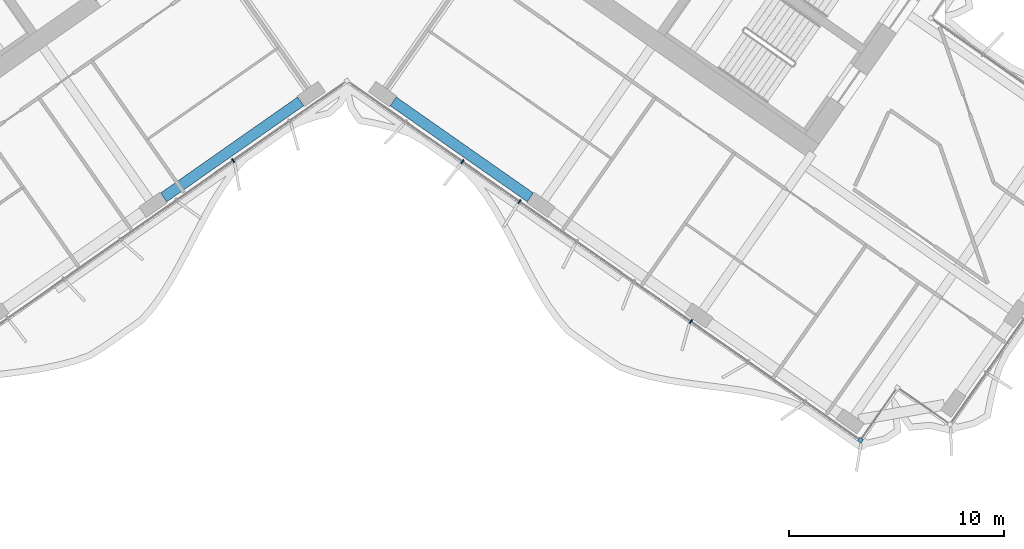
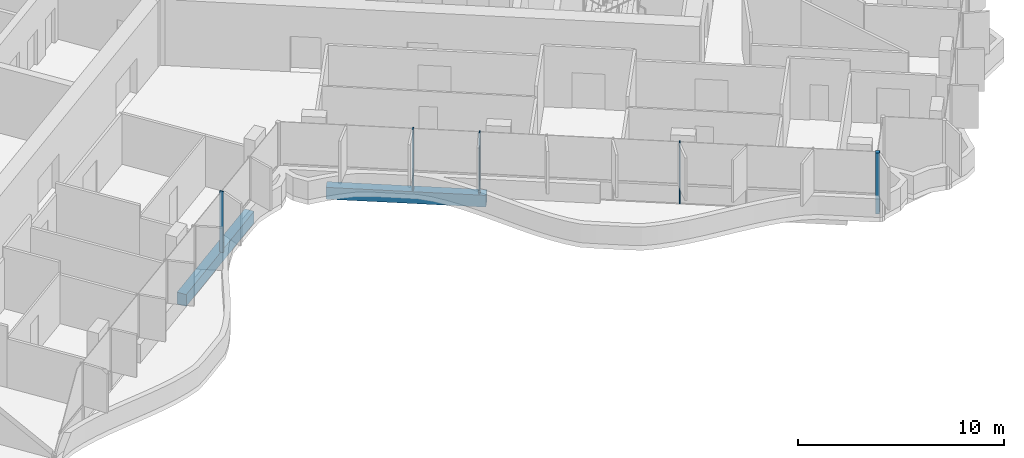
# One storey, part 5 of 23: 5 members, 2 beams, 1 element without a shape of its own.
"""IFC4 building model written with IfcOpenShell, lengths in metres."""

from ifc_helpers import new_model, si_unit, direction, frame, origin, origin_2d, place, context, subcontext, project, spatial, rectangle, extrude, material, material_profile, profile_set, type_object, element, aggregate, save


model = new_model("IFC4")

# Units and contexts
model_context = context("Model", 3, precision=1e-05, world=origin(), true_north=direction((0.0, 1.0)))
body_context = subcontext(model_context, "Body", "Model", "MODEL_VIEW")
ifc_project = project(units=[si_unit("LENGTHUNIT", "METRE"), si_unit("AREAUNIT", "SQUARE_METRE"), si_unit("VOLUMEUNIT", "CUBIC_METRE"), si_unit("PLANEANGLEUNIT", "RADIAN"), si_unit("MASSUNIT", "GRAM", prefix="KILO")], contexts=[model_context])

# Site, building, storey
site_placement = place(None, origin())
site = spatial("IfcSite", under=ifc_project, at=site_placement, CompositionType="ELEMENT")
building_placement = place(site_placement, origin())
building = spatial("IfcBuilding", under=site, at=building_placement, Name="Tel Ilan Convention Tower", CompositionType="ELEMENT")
storey_placement = place(building_placement, frame((0.0, 0.0, 194.39990234375)))
storey = spatial("IfcBuildingStorey", under=building, at=storey_placement, Name="L45", CompositionType="ELEMENT", Elevation=194.39990234375)

# Beams
ifc_material_1 = material(Name="Concrete C40/50", Category="concrete")
ifc_material_profile_1 = material_profile(ifc_material_1, rectangle(XDim=0.5, YDim=0.699951171875, at=origin_2d()), Name="RC 500x700")
ifc_profile_set_1 = profile_set([ifc_material_profile_1], Name="Concrete C40/50")
beam_type = type_object("IfcBeamType", Name="Beam RC 500x700 Concrete C40/50", PredefinedType="BEAM", material=ifc_profile_set_1)
for number, where, z_axis, x_axis, name in (
    (1, (-2.15673828125, -13.656982421875, -0.6298828125), (-0.819153977895, -0.573573674866, 0.0), (0.573573674866, -0.819153977895, 0.0), "L45 beam W-W-F1-W-F2"),
    (2, (2.15673828125, -13.656982421875, -0.6298828125), (0.819153977895, -0.573573674866, 0.0), (0.573573674866, 0.819153977895, 0.0), "L45 beam E-E-F1-E-F2"),
):
    element("IfcBeam", number, at=place(storey_placement, frame(where, z_axis=z_axis, x_axis=x_axis)), inside=storey, type_object=beam_type, Name=name, PredefinedType="BEAM", context=body_context, shape_type="SweptSolid", body=[
        extrude(rectangle(XDim=0.5, YDim=0.699951171875, at=origin_2d()), origin(), (0.0, 0.0, 1.0), 7.800048828125),
    ])

# Curtain wall, members
ifc_material_2 = material(Name="Aluminium, bronze anodised", Category="aluminium")
curtain_wall_type = type_object("IfcCurtainWallType", Name="CW4 STICK CURTAIN WALL, OFFICE TINTED GLASS", PredefinedType="NOTDEFINED", material=ifc_material_2)
curtain_wall_placement = place(storey_placement, origin())
curtain_wall = element("IfcCurtainWall", 3, at=curtain_wall_placement, inside=storey, type_object=curtain_wall_type, Name="Curtain wall CW4-35.02", PredefinedType="NOTDEFINED")
ifc_material_3 = material(Name="Aluminium, bronze anodised", Category="aluminium")
ifc_material_profile_2 = material_profile(ifc_material_3, rectangle(XDim=0.199951171875, YDim=0.199951171875, at=origin_2d()), Name="CW CORNER MULLION 200x200")
ifc_profile_set_2 = profile_set([ifc_material_profile_2], Name="Aluminium, bronze anodised")
member_type_1 = type_object("IfcMemberType", Name="CW CORNER MULLION 200x200", PredefinedType="MULLION", material=ifc_profile_set_2)
member_1_placement = place(storey_placement, frame((23.933837890625, -29.454833984375, 0.0), z_axis=(0.0, 0.0, 1.0), x_axis=(0.819152044289, -0.573576436351, 0.0)))
member_1 = element("IfcMember", 4, at=member_1_placement, type_object=member_type_1, Name="Corner mullion", PredefinedType="MULLION", context=body_context, shape_type="SweptSolid", body=[
    extrude(rectangle(XDim=0.199951171875, YDim=0.199951171875, at=origin_2d()), origin(), (0.0, 0.0, 1.0), 3.6201171875),
])
ifc_material_4 = material(Name="Aluminium, bronze anodised", Category="aluminium")
ifc_material_profile_3 = material_profile(ifc_material_4, rectangle(XDim=0.06005859375, YDim=0.199951171875, at=origin_2d()), Name="CW MULLION 60x200")
ifc_profile_set_3 = profile_set([ifc_material_profile_3], Name="Aluminium, bronze anodised")
member_type_2 = type_object("IfcMemberType", Name="CW MULLION 60x200", PredefinedType="MULLION", material=ifc_profile_set_3)
member_2_placement = place(storey_placement, frame((-5.307861328125, -16.41259765625, 0.0), z_axis=(0.0, 0.0, 1.0), x_axis=(0.819152044289, 0.573576436351, 0.0)))
member_2 = element("IfcMember", 5, at=member_2_placement, type_object=member_type_2, Name="Mullion", PredefinedType="MULLION", context=body_context, shape_type="SweptSolid", body=[
    extrude(rectangle(XDim=0.06005859375, YDim=0.199951171875, at=origin_2d()), origin(), (0.0, 0.0, 1.0), 3.6201171875),
])
member_3_placement = place(storey_placement, frame((5.38134765625, -16.464111328125, 0.0), z_axis=(0.0, 0.0, 1.0), x_axis=(0.819152044289, -0.573576436351, 0.0)))
member_3 = element("IfcMember", 6, at=member_3_placement, type_object=member_type_2, Name="Mullion", PredefinedType="MULLION", context=body_context, shape_type="SweptSolid", body=[
    extrude(rectangle(XDim=0.06005859375, YDim=0.199951171875, at=origin_2d()), origin(), (0.0, 0.0, 1.0), 3.6201171875),
])
member_4_placement = place(storey_placement, frame((8.04345703125, -18.328125, 0.0), z_axis=(0.0, 0.0, 1.0), x_axis=(0.819152044289, -0.573576436351, 0.0)))
member_4 = element("IfcMember", 7, at=member_4_placement, type_object=member_type_2, Name="Mullion", PredefinedType="MULLION", context=body_context, shape_type="SweptSolid", body=[
    extrude(rectangle(XDim=0.06005859375, YDim=0.199951171875, at=origin_2d()), origin(), (0.0, 0.0, 1.0), 3.6201171875),
])
member_5_placement = place(storey_placement, frame((16.029541015625, -23.920166015625, 0.0), z_axis=(0.0, 0.0, 1.0), x_axis=(0.819152044289, -0.573576436351, 0.0)))
member_5 = element("IfcMember", 8, at=member_5_placement, type_object=member_type_2, Name="Mullion", PredefinedType="MULLION", context=body_context, shape_type="SweptSolid", body=[
    extrude(rectangle(XDim=0.06005859375, YDim=0.199951171875, at=origin_2d()), origin(), (0.0, 0.0, 1.0), 3.6201171875),
])
aggregate(curtain_wall, [member_2, member_3, member_4, member_5, member_1])

save(model, "model.ifc")
